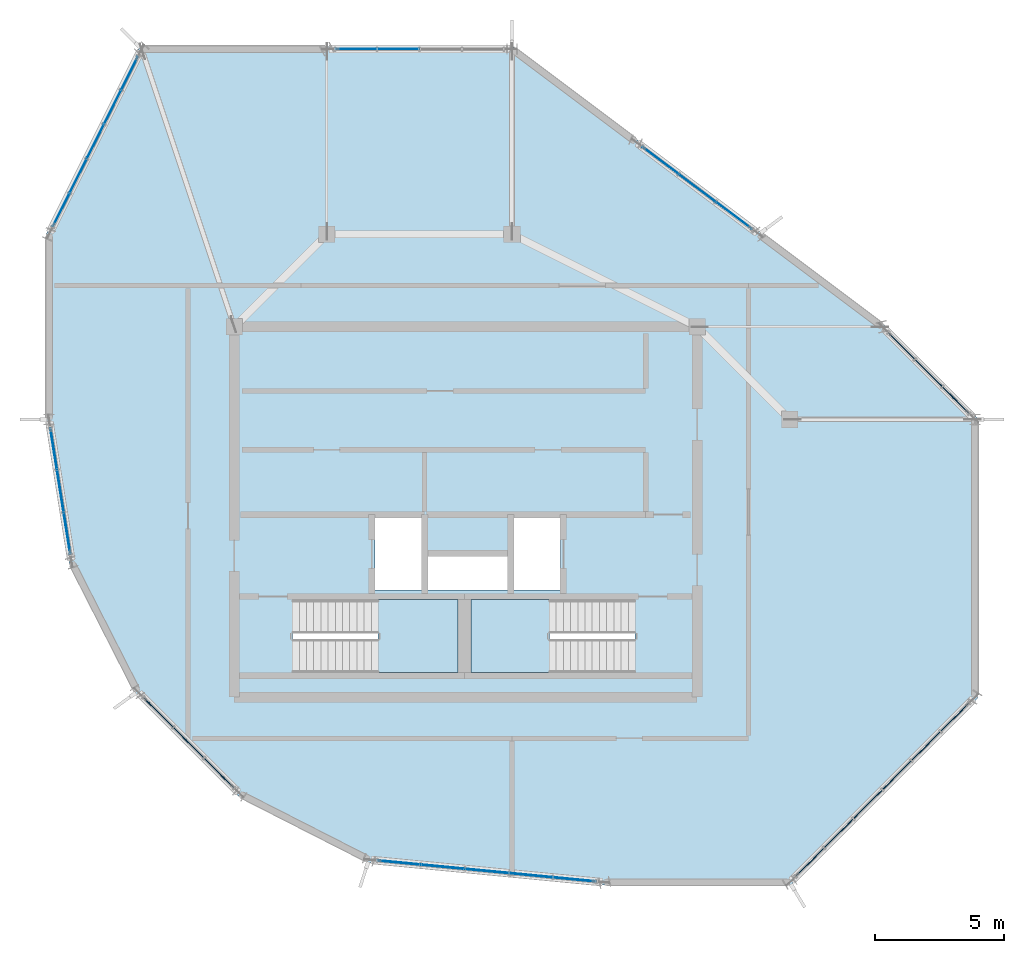
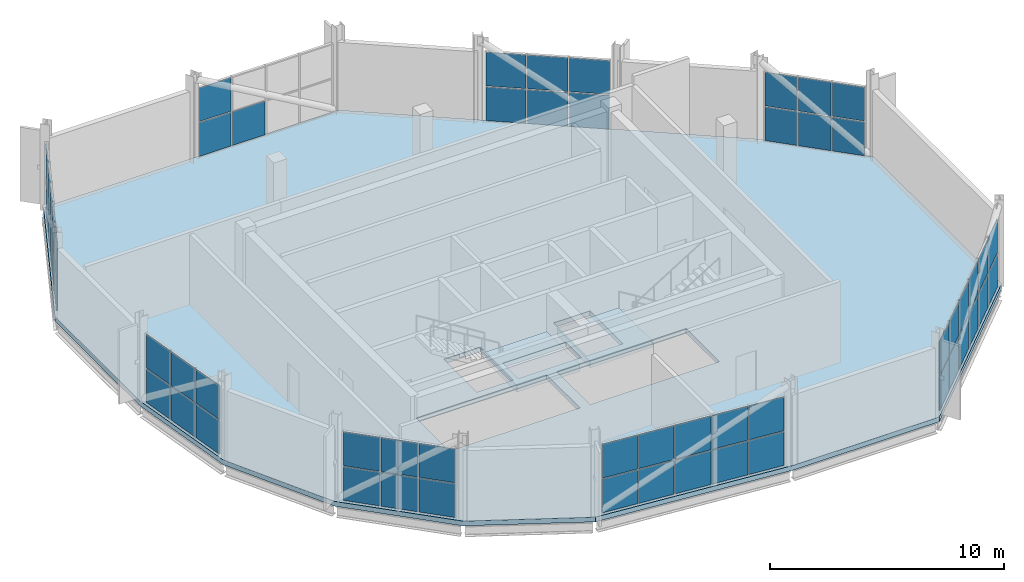
# One storey, part 16 of 22: 59 plates, 3 slabs, 10 elements without a shape of their own.
"""IFC4 building model written with IfcOpenShell, lengths in metres."""

from ifc_helpers import new_model, si_unit, direction, frame, origin, origin_2d, place, context, subcontext, project, spatial, polyline, rectangle, outline, extrude, material, layer, layer_set, type_object, element, aggregate, save


model = new_model("IFC4")

# Units and contexts
model_context = context("Model", 3, precision=1e-05, world=origin(), true_north=direction((0.0, 1.0)))
body_context = subcontext(model_context, "Body", "Model", "MODEL_VIEW")
ifc_project = project(units=[si_unit("LENGTHUNIT", "METRE"), si_unit("AREAUNIT", "SQUARE_METRE"), si_unit("VOLUMEUNIT", "CUBIC_METRE"), si_unit("PLANEANGLEUNIT", "RADIAN"), si_unit("MASSUNIT", "GRAM", prefix="KILO")], contexts=[model_context])

# Site, building, storey
site_placement = place(None, origin())
site = spatial("IfcSite", under=ifc_project, at=site_placement, CompositionType="ELEMENT")
building_placement = place(site_placement, origin())
building = spatial("IfcBuilding", under=site, at=building_placement, Name="Solnavia Interchange Tower", CompositionType="ELEMENT")
storey_placement = place(building_placement, frame((0.0, 0.0, 308.699951171875)))
storey = spatial("IfcBuildingStorey", under=building, at=storey_placement, Name="C02", CompositionType="ELEMENT", Elevation=308.699951171875)

# Curtain wall, plates
ifc_material_1 = material(Name="Aluminium Alloy 6063-T6", Category="aluminium")
ifc_layer_1 = layer(ifc_material_1, 0.179931640625)
ifc_layer_set_1 = layer_set([ifc_layer_1], Name="Aluminium Alloy 6063-T6")
curtain_wall_type = type_object("IfcCurtainWallType", Name="CurtainWall-Crown-CTW6", PredefinedType="NOTDEFINED", material=ifc_layer_set_1)
curtain_wall_1_placement = place(storey_placement, origin())
curtain_wall_1 = element("IfcCurtainWall", 1, at=curtain_wall_1_placement, inside=storey, type_object=curtain_wall_type, Name="CTW-C02-R01 CTW-6 curtain wall", PredefinedType="NOTDEFINED")
ifc_material_2 = material(Name="Double-Glazed Low-E IGU Glass", Category="glass")
ifc_layer_2 = layer(ifc_material_2, 0.030029296875)
ifc_layer_set_2 = layer_set([ifc_layer_2], Name="Double-Glazed Low-E IGU Glass")
plate_type = type_object("IfcPlateType", Name="CW-Panel-Crown-30", PredefinedType="CURTAIN_PANEL", material=ifc_layer_set_2)
plate_1_placement = place(storey_placement, frame((42.453369140625, 22.3466796875, 0.06005859375), z_axis=(0.0, 0.0, 1.0), x_axis=(-0.707106781187, 0.707106781187, 0.0)))
plate_1 = element("IfcPlate", 2, at=plate_1_placement, type_object=plate_type, Name="CTW-6 panel 1.1", PredefinedType="CURTAIN_PANEL", context=body_context, shape_type="SweptSolid", body=[
    extrude(rectangle(XDim=1.414794921875, YDim=0.030029296875, at=origin_2d()), origin(), (0.0, 0.0, 1.0), 1.75),
])
plate_2_placement = place(storey_placement, frame((42.453369140625, 22.3466796875, 1.8701171875), z_axis=(0.0, 0.0, 1.0), x_axis=(-0.707106781187, 0.707106781187, 0.0)))
plate_2 = element("IfcPlate", 3, at=plate_2_placement, type_object=plate_type, Name="CTW-6 panel 1.2", PredefinedType="CURTAIN_PANEL", context=body_context, shape_type="SweptSolid", body=[
    extrude(rectangle(XDim=1.414794921875, YDim=0.030029296875, at=origin_2d()), origin(), (0.0, 0.0, 1.0), 1.75),
])
plate_3_placement = place(storey_placement, frame((41.39990234375, 23.39990234375, 0.06005859375), z_axis=(0.0, 0.0, 1.0), x_axis=(-0.707106781187, 0.707106781187, 0.0)))
plate_3 = element("IfcPlate", 4, at=plate_3_placement, type_object=plate_type, Name="CTW-6 panel 2.1", PredefinedType="CURTAIN_PANEL", context=body_context, shape_type="SweptSolid", body=[
    extrude(rectangle(XDim=1.44482421875, YDim=0.030029296875, at=origin_2d()), origin(), (0.0, 0.0, 1.0), 1.75),
])
plate_4_placement = place(storey_placement, frame((41.39990234375, 23.39990234375, 1.8701171875), z_axis=(0.0, 0.0, 1.0), x_axis=(-0.707106781187, 0.707106781187, 0.0)))
plate_4 = element("IfcPlate", 5, at=plate_4_placement, type_object=plate_type, Name="CTW-6 panel 2.2", PredefinedType="CURTAIN_PANEL", context=body_context, shape_type="SweptSolid", body=[
    extrude(rectangle(XDim=1.44482421875, YDim=0.030029296875, at=origin_2d()), origin(), (0.0, 0.0, 1.0), 1.75),
])
plate_5_placement = place(storey_placement, frame((40.3466796875, 24.453369140625, 0.06005859375), z_axis=(0.0, 0.0, 1.0), x_axis=(-0.707106781187, 0.707106781187, 0.0)))
plate_5 = element("IfcPlate", 6, at=plate_5_placement, type_object=plate_type, Name="CTW-6 panel 3.1", PredefinedType="CURTAIN_PANEL", context=body_context, shape_type="SweptSolid", body=[
    extrude(rectangle(XDim=1.414794921875, YDim=0.030029296875, at=origin_2d()), origin(), (0.0, 0.0, 1.0), 1.75),
])
plate_6_placement = place(storey_placement, frame((40.3466796875, 24.453369140625, 1.8701171875), z_axis=(0.0, 0.0, 1.0), x_axis=(-0.707106781187, 0.707106781187, 0.0)))
plate_6 = element("IfcPlate", 7, at=plate_6_placement, type_object=plate_type, Name="CTW-6 panel 3.2", PredefinedType="CURTAIN_PANEL", context=body_context, shape_type="SweptSolid", body=[
    extrude(rectangle(XDim=1.414794921875, YDim=0.030029296875, at=origin_2d()), origin(), (0.0, 0.0, 1.0), 1.75),
])
aggregate(curtain_wall_1, [plate_1, plate_2, plate_3, plate_4, plate_5, plate_6])

curtain_wall_2_placement = place(storey_placement, origin())
curtain_wall_2 = element("IfcCurtainWall", 8, at=curtain_wall_2_placement, inside=storey, type_object=curtain_wall_type, Name="CTW-C02-R03 CTW-6 curtain wall", PredefinedType="NOTDEFINED")
plate_7_placement = place(storey_placement, frame((33.834228515625, 29.5244140625, 0.06005859375), z_axis=(0.0, 0.0, 1.0), x_axis=(-0.799999999998, 0.600000000002, 0.0)))
plate_7 = element("IfcPlate", 9, at=plate_7_placement, type_object=plate_type, Name="CTW-6 panel 1.1", PredefinedType="CURTAIN_PANEL", context=body_context, shape_type="SweptSolid", body=[
    extrude(rectangle(XDim=1.7177734375, YDim=0.030029296875, at=origin_2d()), origin(), (0.0, 0.0, 1.0), 1.75),
])
plate_8_placement = place(storey_placement, frame((33.834228515625, 29.5244140625, 1.8701171875), z_axis=(0.0, 0.0, 1.0), x_axis=(-0.799999999998, 0.600000000002, 0.0)))
plate_8 = element("IfcPlate", 10, at=plate_8_placement, type_object=plate_type, Name="CTW-6 panel 1.2", PredefinedType="CURTAIN_PANEL", context=body_context, shape_type="SweptSolid", body=[
    extrude(rectangle(XDim=1.7177734375, YDim=0.030029296875, at=origin_2d()), origin(), (0.0, 0.0, 1.0), 1.75),
])
plate_9_placement = place(storey_placement, frame((32.39990234375, 30.60009765625, 0.06005859375), z_axis=(0.0, 0.0, 1.0), x_axis=(-0.799999999998, 0.600000000002, 0.0)))
plate_9 = element("IfcPlate", 11, at=plate_9_placement, type_object=plate_type, Name="CTW-6 panel 2.1", PredefinedType="CURTAIN_PANEL", context=body_context, shape_type="SweptSolid", body=[
    extrude(rectangle(XDim=1.74755859375, YDim=0.030029296875, at=origin_2d()), origin(), (0.0, 0.0, 1.0), 1.75),
])
plate_10_placement = place(storey_placement, frame((32.39990234375, 30.60009765625, 1.8701171875), z_axis=(0.0, 0.0, 1.0), x_axis=(-0.799999999998, 0.600000000002, 0.0)))
plate_10 = element("IfcPlate", 12, at=plate_10_placement, type_object=plate_type, Name="CTW-6 panel 2.2", PredefinedType="CURTAIN_PANEL", context=body_context, shape_type="SweptSolid", body=[
    extrude(rectangle(XDim=1.74755859375, YDim=0.030029296875, at=origin_2d()), origin(), (0.0, 0.0, 1.0), 1.75),
])
plate_11_placement = place(storey_placement, frame((30.9658203125, 31.675537109375, 0.06005859375), z_axis=(0.0, 0.0, 1.0), x_axis=(-0.799999999998, 0.600000000002, 0.0)))
plate_11 = element("IfcPlate", 13, at=plate_11_placement, type_object=plate_type, Name="CTW-6 panel 3.1", PredefinedType="CURTAIN_PANEL", context=body_context, shape_type="SweptSolid", body=[
    extrude(rectangle(XDim=1.7177734375, YDim=0.030029296875, at=origin_2d()), origin(), (0.0, 0.0, 1.0), 1.75),
])
plate_12_placement = place(storey_placement, frame((30.9658203125, 31.675537109375, 1.8701171875), z_axis=(0.0, 0.0, 1.0), x_axis=(-0.799999999998, 0.600000000002, 0.0)))
plate_12 = element("IfcPlate", 14, at=plate_12_placement, type_object=plate_type, Name="CTW-6 panel 3.2", PredefinedType="CURTAIN_PANEL", context=body_context, shape_type="SweptSolid", body=[
    extrude(rectangle(XDim=1.7177734375, YDim=0.030029296875, at=origin_2d()), origin(), (0.0, 0.0, 1.0), 1.75),
])
aggregate(curtain_wall_2, [plate_7, plate_8, plate_9, plate_10, plate_11, plate_12])

curtain_wall_3_placement = place(storey_placement, origin())
curtain_wall_3 = element("IfcCurtainWall", 15, at=curtain_wall_3_placement, inside=storey, type_object=curtain_wall_type, Name="CTW-C02-R05 CTW-6 curtain wall", PredefinedType="NOTDEFINED")
plate_13_placement = place(storey_placement, frame((20.772216796875, 36.0, 0.06005859375), z_axis=(0.0, 0.0, 1.0), x_axis=(-1.0, 0.0, 0.0)))
plate_13 = element("IfcPlate", 16, at=plate_13_placement, type_object=plate_type, Name="CTW-6 panel 3.1", PredefinedType="CURTAIN_PANEL", context=body_context, shape_type="SweptSolid", body=[
    extrude(rectangle(XDim=1.595703125, YDim=0.030029296875, at=origin_2d()), origin(), (0.0, 0.0, 1.0), 1.75),
])
plate_14_placement = place(storey_placement, frame((19.13134765625, 36.0, 0.06005859375), z_axis=(0.0, 0.0, 1.0), x_axis=(-1.0, 0.0, 0.0)))
plate_14 = element("IfcPlate", 17, at=plate_14_placement, type_object=plate_type, Name="CTW-6 panel 4.1", PredefinedType="CURTAIN_PANEL", context=body_context, shape_type="SweptSolid", body=[
    extrude(rectangle(XDim=1.565673828125, YDim=0.030029296875, at=origin_2d()), origin(), (0.0, 0.0, 1.0), 1.75),
])
plate_15_placement = place(storey_placement, frame((19.13134765625, 36.0, 1.8701171875), z_axis=(0.0, 0.0, 1.0), x_axis=(-1.0, 0.0, 0.0)))
plate_15 = element("IfcPlate", 18, at=plate_15_placement, type_object=plate_type, Name="CTW-6 panel 4.2", PredefinedType="CURTAIN_PANEL", context=body_context, shape_type="SweptSolid", body=[
    extrude(rectangle(XDim=1.565673828125, YDim=0.030029296875, at=origin_2d()), origin(), (0.0, 0.0, 1.0), 1.75),
])
aggregate(curtain_wall_3, [plate_13, plate_14, plate_15])

curtain_wall_4_placement = place(storey_placement, origin())
curtain_wall_4 = element("IfcCurtainWall", 19, at=curtain_wall_4_placement, inside=storey, type_object=curtain_wall_type, Name="CTW-C02-R07 CTW-6 curtain wall", PredefinedType="NOTDEFINED")
plate_16_placement = place(storey_placement, frame((10.330078125, 35.060302734375, 0.06005859375), z_axis=(0.0, 0.0, 1.0), x_axis=(-0.447213595499, -0.894427191001, 0.0)))
plate_16 = element("IfcPlate", 20, at=plate_16_placement, type_object=plate_type, Name="CTW-6 panel 1.1", PredefinedType="CURTAIN_PANEL", context=body_context, shape_type="SweptSolid", body=[
    extrude(rectangle(XDim=1.404541015625, YDim=0.030029296875, at=origin_2d()), origin(), (0.0, 0.0, 1.0), 1.75),
])
plate_17_placement = place(storey_placement, frame((10.330078125, 35.060302734375, 1.8701171875), z_axis=(0.0, 0.0, 1.0), x_axis=(-0.447213595499, -0.894427191001, 0.0)))
plate_17 = element("IfcPlate", 21, at=plate_17_placement, type_object=plate_type, Name="CTW-6 panel 1.2", PredefinedType="CURTAIN_PANEL", context=body_context, shape_type="SweptSolid", body=[
    extrude(rectangle(XDim=1.404541015625, YDim=0.030029296875, at=origin_2d()), origin(), (0.0, 0.0, 1.0), 1.75),
])
plate_18_placement = place(storey_placement, frame((9.66845703125, 33.73681640625, 0.06005859375), z_axis=(0.0, 0.0, 1.0), x_axis=(-0.447213595499, -0.894427191001, 0.0)))
plate_18 = element("IfcPlate", 22, at=plate_18_placement, type_object=plate_type, Name="CTW-6 panel 2.1", PredefinedType="CURTAIN_PANEL", context=body_context, shape_type="SweptSolid", body=[
    extrude(rectangle(XDim=1.4345703125, YDim=0.030029296875, at=origin_2d()), origin(), (0.0, 0.0, 1.0), 1.75),
])
plate_19_placement = place(storey_placement, frame((9.66845703125, 33.73681640625, 1.8701171875), z_axis=(0.0, 0.0, 1.0), x_axis=(-0.447213595499, -0.894427191001, 0.0)))
plate_19 = element("IfcPlate", 23, at=plate_19_placement, type_object=plate_type, Name="CTW-6 panel 2.2", PredefinedType="CURTAIN_PANEL", context=body_context, shape_type="SweptSolid", body=[
    extrude(rectangle(XDim=1.4345703125, YDim=0.030029296875, at=origin_2d()), origin(), (0.0, 0.0, 1.0), 1.75),
])
plate_20_placement = place(storey_placement, frame((9.0, 32.39990234375, 0.06005859375), z_axis=(0.0, 0.0, 1.0), x_axis=(-0.447213595499, -0.894427191001, 0.0)))
plate_20 = element("IfcPlate", 24, at=plate_20_placement, type_object=plate_type, Name="CTW-6 panel 3.1", PredefinedType="CURTAIN_PANEL", context=body_context, shape_type="SweptSolid", body=[
    extrude(rectangle(XDim=1.4345703125, YDim=0.030029296875, at=origin_2d()), origin(), (0.0, 0.0, 1.0), 1.75),
])
plate_21_placement = place(storey_placement, frame((9.0, 32.39990234375, 1.8701171875), z_axis=(0.0, 0.0, 1.0), x_axis=(-0.447213595499, -0.894427191001, 0.0)))
plate_21 = element("IfcPlate", 25, at=plate_21_placement, type_object=plate_type, Name="CTW-6 panel 3.2", PredefinedType="CURTAIN_PANEL", context=body_context, shape_type="SweptSolid", body=[
    extrude(rectangle(XDim=1.4345703125, YDim=0.030029296875, at=origin_2d()), origin(), (0.0, 0.0, 1.0), 1.75),
])
plate_22_placement = place(storey_placement, frame((8.33154296875, 31.063232421875, 0.06005859375), z_axis=(0.0, 0.0, 1.0), x_axis=(-0.447213595499, -0.894427191001, 0.0)))
plate_22 = element("IfcPlate", 26, at=plate_22_placement, type_object=plate_type, Name="CTW-6 panel 4.1", PredefinedType="CURTAIN_PANEL", context=body_context, shape_type="SweptSolid", body=[
    extrude(rectangle(XDim=1.4345703125, YDim=0.030029296875, at=origin_2d()), origin(), (0.0, 0.0, 1.0), 1.75),
])
plate_23_placement = place(storey_placement, frame((8.33154296875, 31.063232421875, 1.8701171875), z_axis=(0.0, 0.0, 1.0), x_axis=(-0.447213595499, -0.894427191001, 0.0)))
plate_23 = element("IfcPlate", 27, at=plate_23_placement, type_object=plate_type, Name="CTW-6 panel 4.2", PredefinedType="CURTAIN_PANEL", context=body_context, shape_type="SweptSolid", body=[
    extrude(rectangle(XDim=1.4345703125, YDim=0.030029296875, at=origin_2d()), origin(), (0.0, 0.0, 1.0), 1.75),
])
plate_24_placement = place(storey_placement, frame((7.669921875, 29.73974609375, 0.06005859375), z_axis=(0.0, 0.0, 1.0), x_axis=(-0.447213595499, -0.894427191001, 0.0)))
plate_24 = element("IfcPlate", 28, at=plate_24_placement, type_object=plate_type, Name="CTW-6 panel 5.1", PredefinedType="CURTAIN_PANEL", context=body_context, shape_type="SweptSolid", body=[
    extrude(rectangle(XDim=1.404541015625, YDim=0.030029296875, at=origin_2d()), origin(), (0.0, 0.0, 1.0), 1.75),
])
plate_25_placement = place(storey_placement, frame((7.669921875, 29.73974609375, 1.8701171875), z_axis=(0.0, 0.0, 1.0), x_axis=(-0.447213595499, -0.894427191001, 0.0)))
plate_25 = element("IfcPlate", 29, at=plate_25_placement, type_object=plate_type, Name="CTW-6 panel 5.2", PredefinedType="CURTAIN_PANEL", context=body_context, shape_type="SweptSolid", body=[
    extrude(rectangle(XDim=1.404541015625, YDim=0.030029296875, at=origin_2d()), origin(), (0.0, 0.0, 1.0), 1.75),
])
aggregate(curtain_wall_4, [plate_16, plate_17, plate_18, plate_19, plate_20, plate_21, plate_22, plate_23, plate_24, plate_25])

curtain_wall_5_placement = place(storey_placement, origin())
curtain_wall_5 = element("IfcCurtainWall", 30, at=curtain_wall_5_placement, inside=storey, type_object=curtain_wall_type, Name="CTW-C02-R09 CTW-6 curtain wall", PredefinedType="NOTDEFINED")
plate_26_placement = place(storey_placement, frame((7.379150390625, 20.46826171875, 0.06005859375), z_axis=(0.0, 0.0, 1.0), x_axis=(0.156456312485, -0.987684880052, 0.0)))
plate_26 = element("IfcPlate", 31, at=plate_26_placement, type_object=plate_type, Name="CTW-6 panel 1.1", PredefinedType="CURTAIN_PANEL", context=body_context, shape_type="SweptSolid", body=[
    extrude(rectangle(XDim=1.5947265625, YDim=0.030029296875, at=origin_2d()), origin(), (0.0, 0.0, 1.0), 1.75),
])
plate_27_placement = place(storey_placement, frame((7.379150390625, 20.46826171875, 1.8701171875), z_axis=(0.0, 0.0, 1.0), x_axis=(0.156456312485, -0.987684880052, 0.0)))
plate_27 = element("IfcPlate", 32, at=plate_27_placement, type_object=plate_type, Name="CTW-6 panel 1.2", PredefinedType="CURTAIN_PANEL", context=body_context, shape_type="SweptSolid", body=[
    extrude(rectangle(XDim=1.5947265625, YDim=0.030029296875, at=origin_2d()), origin(), (0.0, 0.0, 1.0), 1.75),
])
plate_28_placement = place(storey_placement, frame((7.640380859375, 18.819091796875, 0.06005859375), z_axis=(0.0, 0.0, 1.0), x_axis=(0.156456312485, -0.987684880052, 0.0)))
plate_28 = element("IfcPlate", 33, at=plate_28_placement, type_object=plate_type, Name="CTW-6 panel 2.1", PredefinedType="CURTAIN_PANEL", context=body_context, shape_type="SweptSolid", body=[
    extrude(rectangle(XDim=1.624755859375, YDim=0.030029296875, at=origin_2d()), origin(), (0.0, 0.0, 1.0), 1.75),
])
plate_29_placement = place(storey_placement, frame((7.640380859375, 18.819091796875, 1.8701171875), z_axis=(0.0, 0.0, 1.0), x_axis=(0.156456312485, -0.987684880052, 0.0)))
plate_29 = element("IfcPlate", 34, at=plate_29_placement, type_object=plate_type, Name="CTW-6 panel 2.2", PredefinedType="CURTAIN_PANEL", context=body_context, shape_type="SweptSolid", body=[
    extrude(rectangle(XDim=1.624755859375, YDim=0.030029296875, at=origin_2d()), origin(), (0.0, 0.0, 1.0), 1.75),
])
plate_30_placement = place(storey_placement, frame((7.90185546875, 17.169677734375, 0.06005859375), z_axis=(0.0, 0.0, 1.0), x_axis=(0.156456312485, -0.987684880052, 0.0)))
plate_30 = element("IfcPlate", 35, at=plate_30_placement, type_object=plate_type, Name="CTW-6 panel 3.1", PredefinedType="CURTAIN_PANEL", context=body_context, shape_type="SweptSolid", body=[
    extrude(rectangle(XDim=1.5947265625, YDim=0.030029296875, at=origin_2d()), origin(), (0.0, 0.0, 1.0), 1.75),
])
plate_31_placement = place(storey_placement, frame((7.90185546875, 17.169677734375, 1.8701171875), z_axis=(0.0, 0.0, 1.0), x_axis=(0.156456312485, -0.987684880052, 0.0)))
plate_31 = element("IfcPlate", 36, at=plate_31_placement, type_object=plate_type, Name="CTW-6 panel 3.2", PredefinedType="CURTAIN_PANEL", context=body_context, shape_type="SweptSolid", body=[
    extrude(rectangle(XDim=1.5947265625, YDim=0.030029296875, at=origin_2d()), origin(), (0.0, 0.0, 1.0), 1.75),
])
aggregate(curtain_wall_5, [plate_26, plate_27, plate_28, plate_29, plate_30, plate_31])

curtain_wall_6_placement = place(storey_placement, origin())
curtain_wall_6 = element("IfcCurtainWall", 37, at=curtain_wall_6_placement, inside=storey, type_object=curtain_wall_type, Name="CTW-C02-R11 CTW-6 curtain wall", PredefinedType="NOTDEFINED")
plate_32_placement = place(storey_placement, frame((11.4482421875, 10.209716796875, 0.06005859375), z_axis=(0.0, 0.0, 1.0), x_axis=(0.707106781187, -0.707106781187, 0.0)))
plate_32 = element("IfcPlate", 38, at=plate_32_placement, type_object=plate_type, Name="CTW-6 panel 1.1", PredefinedType="CURTAIN_PANEL", context=body_context, shape_type="SweptSolid", body=[
    extrude(rectangle(XDim=1.5947265625, YDim=0.030029296875, at=origin_2d()), origin(), (0.0, 0.0, 1.0), 1.75),
])
plate_33_placement = place(storey_placement, frame((11.4482421875, 10.209716796875, 1.8701171875), z_axis=(0.0, 0.0, 1.0), x_axis=(0.707106781187, -0.707106781187, 0.0)))
plate_33 = element("IfcPlate", 39, at=plate_33_placement, type_object=plate_type, Name="CTW-6 panel 1.2", PredefinedType="CURTAIN_PANEL", context=body_context, shape_type="SweptSolid", body=[
    extrude(rectangle(XDim=1.5947265625, YDim=0.030029296875, at=origin_2d()), origin(), (0.0, 0.0, 1.0), 1.75),
])
plate_34_placement = place(storey_placement, frame((12.62890625, 9.029052734375, 0.06005859375), z_axis=(0.0, 0.0, 1.0), x_axis=(0.707106781187, -0.707106781187, 0.0)))
plate_34 = element("IfcPlate", 40, at=plate_34_placement, type_object=plate_type, Name="CTW-6 panel 2.1", PredefinedType="CURTAIN_PANEL", context=body_context, shape_type="SweptSolid", body=[
    extrude(rectangle(XDim=1.624755859375, YDim=0.030029296875, at=origin_2d()), origin(), (0.0, 0.0, 1.0), 1.75),
])
plate_35_placement = place(storey_placement, frame((12.62890625, 9.029052734375, 1.8701171875), z_axis=(0.0, 0.0, 1.0), x_axis=(0.707106781187, -0.707106781187, 0.0)))
plate_35 = element("IfcPlate", 41, at=plate_35_placement, type_object=plate_type, Name="CTW-6 panel 2.2", PredefinedType="CURTAIN_PANEL", context=body_context, shape_type="SweptSolid", body=[
    extrude(rectangle(XDim=1.624755859375, YDim=0.030029296875, at=origin_2d()), origin(), (0.0, 0.0, 1.0), 1.75),
])
plate_36_placement = place(storey_placement, frame((13.809814453125, 7.848388671875, 0.06005859375), z_axis=(0.0, 0.0, 1.0), x_axis=(0.707106781187, -0.707106781187, 0.0)))
plate_36 = element("IfcPlate", 42, at=plate_36_placement, type_object=plate_type, Name="CTW-6 panel 3.1", PredefinedType="CURTAIN_PANEL", context=body_context, shape_type="SweptSolid", body=[
    extrude(rectangle(XDim=1.5947265625, YDim=0.030029296875, at=origin_2d()), origin(), (0.0, 0.0, 1.0), 1.75),
])
plate_37_placement = place(storey_placement, frame((13.809814453125, 7.848388671875, 1.8701171875), z_axis=(0.0, 0.0, 1.0), x_axis=(0.707106781187, -0.707106781187, 0.0)))
plate_37 = element("IfcPlate", 43, at=plate_37_placement, type_object=plate_type, Name="CTW-6 panel 3.2", PredefinedType="CURTAIN_PANEL", context=body_context, shape_type="SweptSolid", body=[
    extrude(rectangle(XDim=1.5947265625, YDim=0.030029296875, at=origin_2d()), origin(), (0.0, 0.0, 1.0), 1.75),
])
aggregate(curtain_wall_6, [plate_32, plate_33, plate_34, plate_35, plate_36, plate_37])

curtain_wall_7_placement = place(storey_placement, origin())
curtain_wall_7 = element("IfcCurtainWall", 44, at=curtain_wall_7_placement, inside=storey, type_object=curtain_wall_type, Name="CTW-C02-R13 CTW-6 curtain wall", PredefinedType="NOTDEFINED")
plate_38_placement = place(storey_placement, frame((20.798828125, 4.369384765625, 0.06005859375), z_axis=(0.0, 0.0, 1.0), x_axis=(0.995408264531, -0.095720357833, 0.0)))
plate_38 = element("IfcPlate", 45, at=plate_38_placement, type_object=plate_type, Name="CTW-6 panel 1.1", PredefinedType="CURTAIN_PANEL", context=body_context, shape_type="SweptSolid", body=[
    extrude(rectangle(XDim=1.635498046875, YDim=0.030029296875, at=origin_2d()), origin(), (0.0, 0.0, 1.0), 1.75),
])
plate_39_placement = place(storey_placement, frame((20.798828125, 4.369384765625, 1.8701171875), z_axis=(0.0, 0.0, 1.0), x_axis=(0.995408264531, -0.095720357833, 0.0)))
plate_39 = element("IfcPlate", 46, at=plate_39_placement, type_object=plate_type, Name="CTW-6 panel 1.2", PredefinedType="CURTAIN_PANEL", context=body_context, shape_type="SweptSolid", body=[
    extrude(rectangle(XDim=1.635498046875, YDim=0.030029296875, at=origin_2d()), origin(), (0.0, 0.0, 1.0), 1.75),
])
plate_40_placement = place(storey_placement, frame((22.50146484375, 4.20556640625, 0.06005859375), z_axis=(0.0, 0.0, 1.0), x_axis=(0.995408264531, -0.095720357833, 0.0)))
plate_40 = element("IfcPlate", 47, at=plate_40_placement, type_object=plate_type, Name="CTW-6 panel 2.1", PredefinedType="CURTAIN_PANEL", context=body_context, shape_type="SweptSolid", body=[
    extrude(rectangle(XDim=1.66552734375, YDim=0.030029296875, at=origin_2d()), origin(), (0.0, 0.0, 1.0), 1.75),
])
plate_41_placement = place(storey_placement, frame((22.50146484375, 4.20556640625, 1.8701171875), z_axis=(0.0, 0.0, 1.0), x_axis=(0.995408264531, -0.095720357833, 0.0)))
plate_41 = element("IfcPlate", 48, at=plate_41_placement, type_object=plate_type, Name="CTW-6 panel 2.2", PredefinedType="CURTAIN_PANEL", context=body_context, shape_type="SweptSolid", body=[
    extrude(rectangle(XDim=1.66552734375, YDim=0.030029296875, at=origin_2d()), origin(), (0.0, 0.0, 1.0), 1.75),
])
plate_42_placement = place(storey_placement, frame((24.218994140625, 4.04052734375, 0.06005859375), z_axis=(0.0, 0.0, 1.0), x_axis=(0.995408264531, -0.095720357833, 0.0)))
plate_42 = element("IfcPlate", 49, at=plate_42_placement, type_object=plate_type, Name="CTW-6 panel 3.1", PredefinedType="CURTAIN_PANEL", context=body_context, shape_type="SweptSolid", body=[
    extrude(rectangle(XDim=1.66552734375, YDim=0.030029296875, at=origin_2d()), origin(), (0.0, 0.0, 1.0), 1.75),
])
plate_43_placement = place(storey_placement, frame((24.218994140625, 4.04052734375, 1.8701171875), z_axis=(0.0, 0.0, 1.0), x_axis=(0.995408264531, -0.095720357833, 0.0)))
plate_43 = element("IfcPlate", 50, at=plate_43_placement, type_object=plate_type, Name="CTW-6 panel 3.2", PredefinedType="CURTAIN_PANEL", context=body_context, shape_type="SweptSolid", body=[
    extrude(rectangle(XDim=1.66552734375, YDim=0.030029296875, at=origin_2d()), origin(), (0.0, 0.0, 1.0), 1.75),
])
plate_44_placement = place(storey_placement, frame((25.9365234375, 3.875244140625, 0.06005859375), z_axis=(0.0, 0.0, 1.0), x_axis=(0.995408264531, -0.095720357833, 0.0)))
plate_44 = element("IfcPlate", 51, at=plate_44_placement, type_object=plate_type, Name="CTW-6 panel 4.1", PredefinedType="CURTAIN_PANEL", context=body_context, shape_type="SweptSolid", body=[
    extrude(rectangle(XDim=1.66552734375, YDim=0.030029296875, at=origin_2d()), origin(), (0.0, 0.0, 1.0), 1.75),
])
plate_45_placement = place(storey_placement, frame((25.9365234375, 3.875244140625, 1.8701171875), z_axis=(0.0, 0.0, 1.0), x_axis=(0.995408264531, -0.095720357833, 0.0)))
plate_45 = element("IfcPlate", 52, at=plate_45_placement, type_object=plate_type, Name="CTW-6 panel 4.2", PredefinedType="CURTAIN_PANEL", context=body_context, shape_type="SweptSolid", body=[
    extrude(rectangle(XDim=1.66552734375, YDim=0.030029296875, at=origin_2d()), origin(), (0.0, 0.0, 1.0), 1.75),
])
plate_46_placement = place(storey_placement, frame((27.63916015625, 3.711669921875, 0.06005859375), z_axis=(0.0, 0.0, 1.0), x_axis=(0.995408264531, -0.095720357833, 0.0)))
plate_46 = element("IfcPlate", 53, at=plate_46_placement, type_object=plate_type, Name="CTW-6 panel 5.1", PredefinedType="CURTAIN_PANEL", context=body_context, shape_type="SweptSolid", body=[
    extrude(rectangle(XDim=1.635498046875, YDim=0.030029296875, at=origin_2d()), origin(), (0.0, 0.0, 1.0), 1.75),
])
plate_47_placement = place(storey_placement, frame((27.63916015625, 3.711669921875, 1.8701171875), z_axis=(0.0, 0.0, 1.0), x_axis=(0.995408264531, -0.095720357833, 0.0)))
plate_47 = element("IfcPlate", 54, at=plate_47_placement, type_object=plate_type, Name="CTW-6 panel 5.2", PredefinedType="CURTAIN_PANEL", context=body_context, shape_type="SweptSolid", body=[
    extrude(rectangle(XDim=1.635498046875, YDim=0.030029296875, at=origin_2d()), origin(), (0.0, 0.0, 1.0), 1.75),
])
aggregate(curtain_wall_7, [plate_38, plate_39, plate_40, plate_41, plate_42, plate_43, plate_44, plate_45, plate_46, plate_47])

curtain_wall_8_placement = place(storey_placement, origin())
curtain_wall_8 = element("IfcCurtainWall", 55, at=curtain_wall_8_placement, inside=storey, type_object=curtain_wall_type, Name="CTW-C02-R15 CTW-6 curtain wall", PredefinedType="NOTDEFINED")
plate_48_placement = place(storey_placement, frame((36.780517578125, 4.380615234375, 0.06005859375), z_axis=(0.0, 0.0, 1.0), x_axis=(0.707106781187, 0.707106781187, 0.0)))
plate_48 = element("IfcPlate", 56, at=plate_48_placement, type_object=plate_type, Name="CTW-6 panel 1.1", PredefinedType="CURTAIN_PANEL", context=body_context, shape_type="SweptSolid", body=[
    extrude(rectangle(XDim=1.510986328125, YDim=0.030029296875, at=origin_2d()), origin(), (0.0, 0.0, 1.0), 1.75),
])
plate_49_placement = place(storey_placement, frame((36.780517578125, 4.380615234375, 1.8701171875), z_axis=(0.0, 0.0, 1.0), x_axis=(0.707106781187, 0.707106781187, 0.0)))
plate_49 = element("IfcPlate", 57, at=plate_49_placement, type_object=plate_type, Name="CTW-6 panel 1.2", PredefinedType="CURTAIN_PANEL", context=body_context, shape_type="SweptSolid", body=[
    extrude(rectangle(XDim=1.510986328125, YDim=0.030029296875, at=origin_2d()), origin(), (0.0, 0.0, 1.0), 1.75),
])
plate_50_placement = place(storey_placement, frame((37.902099609375, 5.501953125, 0.06005859375), z_axis=(0.0, 0.0, 1.0), x_axis=(0.707106781187, 0.707106781187, 0.0)))
plate_50 = element("IfcPlate", 58, at=plate_50_placement, type_object=plate_type, Name="CTW-6 panel 2.1", PredefinedType="CURTAIN_PANEL", context=body_context, shape_type="SweptSolid", body=[
    extrude(rectangle(XDim=1.540771484375, YDim=0.030029296875, at=origin_2d()), origin(), (0.0, 0.0, 1.0), 1.75),
])
plate_51_placement = place(storey_placement, frame((37.902099609375, 5.501953125, 1.8701171875), z_axis=(0.0, 0.0, 1.0), x_axis=(0.707106781187, 0.707106781187, 0.0)))
plate_51 = element("IfcPlate", 59, at=plate_51_placement, type_object=plate_type, Name="CTW-6 panel 2.2", PredefinedType="CURTAIN_PANEL", context=body_context, shape_type="SweptSolid", body=[
    extrude(rectangle(XDim=1.540771484375, YDim=0.030029296875, at=origin_2d()), origin(), (0.0, 0.0, 1.0), 1.75),
])
plate_52_placement = place(storey_placement, frame((39.033935546875, 6.634033203125, 0.06005859375), z_axis=(0.0, 0.0, 1.0), x_axis=(0.707106781187, 0.707106781187, 0.0)))
plate_52 = element("IfcPlate", 60, at=plate_52_placement, type_object=plate_type, Name="CTW-6 panel 3.1", PredefinedType="CURTAIN_PANEL", context=body_context, shape_type="SweptSolid", body=[
    extrude(rectangle(XDim=1.540771484375, YDim=0.030029296875, at=origin_2d()), origin(), (0.0, 0.0, 1.0), 1.75),
])
plate_53_placement = place(storey_placement, frame((39.033935546875, 6.634033203125, 1.8701171875), z_axis=(0.0, 0.0, 1.0), x_axis=(0.707106781187, 0.707106781187, 0.0)))
plate_53 = element("IfcPlate", 61, at=plate_53_placement, type_object=plate_type, Name="CTW-6 panel 3.2", PredefinedType="CURTAIN_PANEL", context=body_context, shape_type="SweptSolid", body=[
    extrude(rectangle(XDim=1.540771484375, YDim=0.030029296875, at=origin_2d()), origin(), (0.0, 0.0, 1.0), 1.75),
])
plate_54_placement = place(storey_placement, frame((40.166015625, 7.76611328125, 0.06005859375), z_axis=(0.0, 0.0, 1.0), x_axis=(0.707106781187, 0.707106781187, 0.0)))
plate_54 = element("IfcPlate", 62, at=plate_54_placement, type_object=plate_type, Name="CTW-6 panel 4.1", PredefinedType="CURTAIN_PANEL", context=body_context, shape_type="SweptSolid", body=[
    extrude(rectangle(XDim=1.540771484375, YDim=0.030029296875, at=origin_2d()), origin(), (0.0, 0.0, 1.0), 1.75),
])
plate_55_placement = place(storey_placement, frame((40.166015625, 7.76611328125, 1.8701171875), z_axis=(0.0, 0.0, 1.0), x_axis=(0.707106781187, 0.707106781187, 0.0)))
plate_55 = element("IfcPlate", 63, at=plate_55_placement, type_object=plate_type, Name="CTW-6 panel 4.2", PredefinedType="CURTAIN_PANEL", context=body_context, shape_type="SweptSolid", body=[
    extrude(rectangle(XDim=1.540771484375, YDim=0.030029296875, at=origin_2d()), origin(), (0.0, 0.0, 1.0), 1.75),
])
plate_56_placement = place(storey_placement, frame((41.298095703125, 8.89794921875, 0.06005859375), z_axis=(0.0, 0.0, 1.0), x_axis=(0.707106781187, 0.707106781187, 0.0)))
plate_56 = element("IfcPlate", 64, at=plate_56_placement, type_object=plate_type, Name="CTW-6 panel 5.1", PredefinedType="CURTAIN_PANEL", context=body_context, shape_type="SweptSolid", body=[
    extrude(rectangle(XDim=1.540771484375, YDim=0.030029296875, at=origin_2d()), origin(), (0.0, 0.0, 1.0), 1.75),
])
plate_57_placement = place(storey_placement, frame((41.298095703125, 8.89794921875, 1.8701171875), z_axis=(0.0, 0.0, 1.0), x_axis=(0.707106781187, 0.707106781187, 0.0)))
plate_57 = element("IfcPlate", 65, at=plate_57_placement, type_object=plate_type, Name="CTW-6 panel 5.2", PredefinedType="CURTAIN_PANEL", context=body_context, shape_type="SweptSolid", body=[
    extrude(rectangle(XDim=1.540771484375, YDim=0.030029296875, at=origin_2d()), origin(), (0.0, 0.0, 1.0), 1.75),
])
plate_58_placement = place(storey_placement, frame((42.41943359375, 10.019287109375, 0.06005859375), z_axis=(0.0, 0.0, 1.0), x_axis=(0.707106781187, 0.707106781187, 0.0)))
plate_58 = element("IfcPlate", 66, at=plate_58_placement, type_object=plate_type, Name="CTW-6 panel 6.1", PredefinedType="CURTAIN_PANEL", context=body_context, shape_type="SweptSolid", body=[
    extrude(rectangle(XDim=1.510986328125, YDim=0.030029296875, at=origin_2d()), origin(), (0.0, 0.0, 1.0), 1.75),
])
plate_59_placement = place(storey_placement, frame((42.41943359375, 10.019287109375, 1.8701171875), z_axis=(0.0, 0.0, 1.0), x_axis=(0.707106781187, 0.707106781187, 0.0)))
plate_59 = element("IfcPlate", 67, at=plate_59_placement, type_object=plate_type, Name="CTW-6 panel 6.2", PredefinedType="CURTAIN_PANEL", context=body_context, shape_type="SweptSolid", body=[
    extrude(rectangle(XDim=1.510986328125, YDim=0.030029296875, at=origin_2d()), origin(), (0.0, 0.0, 1.0), 1.75),
])
aggregate(curtain_wall_8, [plate_48, plate_49, plate_50, plate_51, plate_52, plate_53, plate_54, plate_55, plate_56, plate_57, plate_58, plate_59])

# Stair, slab
ifc_material_3 = material(Name="Concrete C40/50", Category="concrete")
stair_type = type_object("IfcStairType", Name="Stair-Dogleg-RC", PredefinedType="HALF_TURN_STAIR", material=ifc_material_3)
stair_1_placement = place(storey_placement, origin())
stair_1 = element("IfcStair", 68, at=stair_1_placement, inside=storey, type_object=stair_type, Name="C02 Core exit stair 1", PredefinedType="HALF_TURN_STAIR")
ifc_layer_3 = layer(ifc_material_3, 0.35009765625)
ifc_layer_set_3 = layer_set([ifc_layer_3], Name="Concrete C40/50")
slab_type_1 = type_object("IfcSlabType", Name="Slab-StairLanding-350", PredefinedType="LANDING", material=ifc_layer_set_3)
slab_1_placement = place(storey_placement, frame((0.0, 0.0, 1.900146484375)))
slab_1 = element("IfcSlab", 69, at=slab_1_placement, type_object=slab_type_1, Name="ST-1 landing 1", PredefinedType="LANDING", context=body_context, shape_type="SweptSolid", body=[
    extrude(outline(polyline([(19.988037109375, 11.75), (23.10009765625, 11.75), (23.10009765625, 14.590087890625), (19.988037109375, 14.590087890625), (19.988037109375, 11.75)])), origin(), (0.0, 0.0, 1.0), 0.349853515625),
])
aggregate(stair_1, [slab_1])

stair_2_placement = place(storey_placement, origin())
stair_2 = element("IfcStair", 70, at=stair_2_placement, inside=storey, type_object=stair_type, Name="C02 Core exit stair 2", PredefinedType="HALF_TURN_STAIR")
slab_2_placement = place(storey_placement, frame((0.0, 0.0, 1.900146484375)))
slab_2 = element("IfcSlab", 71, at=slab_2_placement, type_object=slab_type_1, Name="ST-2 landing 1", PredefinedType="LANDING", context=body_context, shape_type="SweptSolid", body=[
    extrude(outline(polyline([(23.60009765625, 11.75), (26.662109375, 11.75), (26.662109375, 14.590087890625), (23.60009765625, 14.590087890625), (23.60009765625, 11.75)])), origin(), (0.0, 0.0, 1.0), 0.349853515625),
])
aggregate(stair_2, [slab_2])

# Slab
ifc_layer_4 = layer(ifc_material_3, 0.25)
ifc_layer_set_4 = layer_set([ifc_layer_4], Name="Concrete C40/50")
slab_type_2 = type_object("IfcSlabType", Name="Slab-Tower-250", PredefinedType="FLOOR", material=ifc_layer_set_4)
slab_3_placement = place(storey_placement, frame((0.0, 0.0, -0.25)))
element("IfcSlab", 72, at=slab_3_placement, inside=storey, type_object=slab_type_2, Name="SLB-C02-01 Structural floor slab", PredefinedType="FLOOR", context=body_context, shape_type="SweptSolid", body=[
    extrude(outline(polyline([(43.300048828125, 21.64111328125), (43.300048828125, 10.759033203125), (36.041015625, 3.5), (28.794921875, 3.5), (19.610107421875, 4.383056640625), (14.56005859375, 6.9560546875), (10.555908203125, 10.9599609375), (7.985107421875, 16.007080078125), (7.10009765625, 21.592041015625), (7.10009765625, 28.823974609375), (10.738037109375, 36.10009765625), (25.23291015625, 36.10009765625), (30.06005859375, 32.47998046875), (34.860107421875, 28.8798828125), (39.666015625, 25.27587890625), (43.300048828125, 21.64111328125)]), holes=[polyline([(16.675048828125, 11.75), (23.10009765625, 11.75), (23.10009765625, 14.590087890625), (16.675048828125, 14.590087890625), (16.675048828125, 11.75)]), polyline([(23.60009765625, 11.75), (29.97509765625, 11.75), (29.97509765625, 14.590087890625), (23.60009765625, 14.590087890625), (23.60009765625, 11.75)]), polyline([(19.8798828125, 14.9599609375), (21.679931640625, 14.9599609375), (21.679931640625, 17.780029296875), (19.8798828125, 17.780029296875), (19.8798828125, 14.9599609375)]), polyline([(25.280029296875, 14.9599609375), (27.080078125, 14.9599609375), (27.080078125, 17.780029296875), (25.280029296875, 17.780029296875), (25.280029296875, 14.9599609375)]), polyline([(21.919921875, 14.9599609375), (25.02001953125, 14.9599609375), (25.02001953125, 16.280029296875), (21.919921875, 16.280029296875), (21.919921875, 14.9599609375)])]), origin(), (0.0, 0.0, 1.0), 0.25),
])

save(model, "model.ifc")
